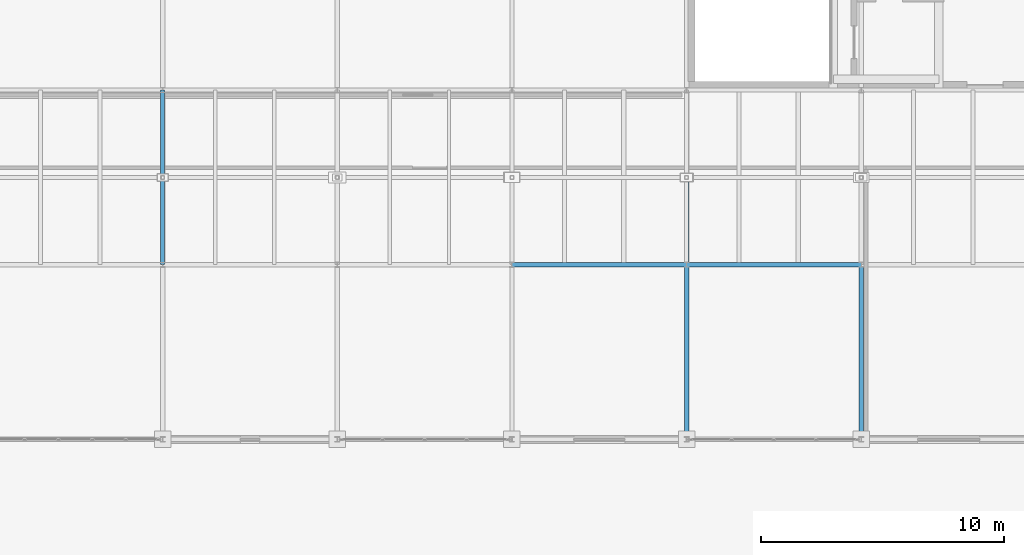
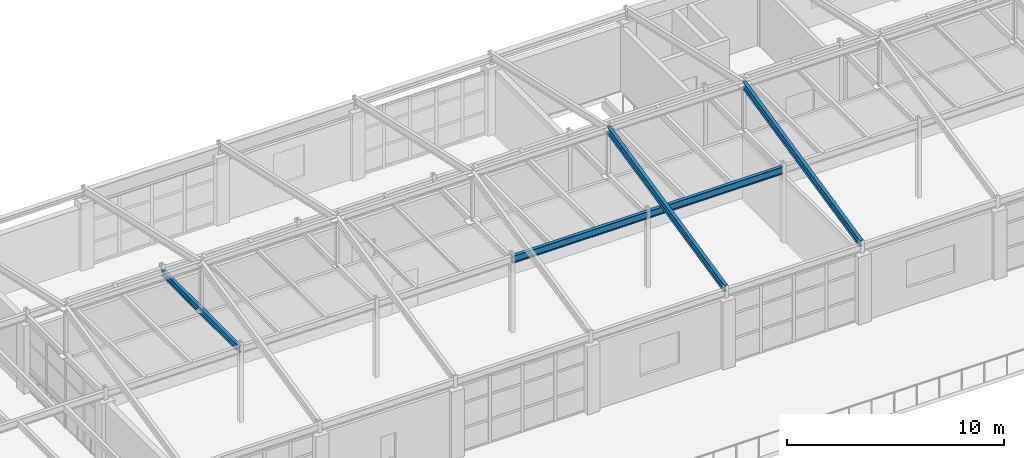
# One storey, part 53 of 101: 5 beams.
"""IFC4 building model written with IfcOpenShell, lengths in metres."""

from ifc_helpers import new_model, si_unit, direction, frame, origin, origin_2d, place, context, subcontext, project, spatial, i_section, extrude, material, material_profile, profile_set, type_object, element, save


model = new_model("IFC4")

# Units and contexts
model_context = context("Model", 3, precision=1e-05, world=origin(), true_north=direction((0.0, 1.0)))
body_context = subcontext(model_context, "Body", "Model", "MODEL_VIEW")
ifc_project = project(units=[si_unit("LENGTHUNIT", "METRE"), si_unit("AREAUNIT", "SQUARE_METRE"), si_unit("VOLUMEUNIT", "CUBIC_METRE"), si_unit("PLANEANGLEUNIT", "RADIAN"), si_unit("MASSUNIT", "GRAM", prefix="KILO")], contexts=[model_context])

# Site, building, storey
site_placement = place(None, origin())
site = spatial("IfcSite", under=ifc_project, at=site_placement, CompositionType="ELEMENT")
building_placement = place(site_placement, origin())
building = spatial("IfcBuilding", under=site, at=building_placement, Name="Kemerveld Promenade Tramway Depot", CompositionType="ELEMENT")
storey_placement = place(building_placement, frame((0.0, 0.0, 9.89990234375)))
storey = spatial("IfcBuildingStorey", under=building, at=storey_placement, Name="L02", CompositionType="ELEMENT", Elevation=9.89990234375)

# Beams
ifc_material = material(Name="Steel S355", Category="steel")
ifc_material_profile_1 = material_profile(ifc_material, i_section(OverallWidth=0.1787109375, OverallDepth=0.409423828125, WebThickness=0.0087890625, FlangeThickness=0.014404296875, FilletRadius=0.01025390625, at=origin_2d()), Name="406x178x67 UB")
ifc_profile_set_1 = profile_set([ifc_material_profile_1], Name="Steel S355")
beam_type_1 = type_object("IfcBeamType", Name="BM-G07", PredefinedType="BEAM", material=ifc_profile_set_1)
beam_1_placement = place(storey_placement, frame((79.199951171875, 14.39990234375, 4.0703125), z_axis=(1.0, 0.0, 0.0), x_axis=(0.0, 1.0, 0.0)))
element("IfcBeam", 1, at=beam_1_placement, inside=storey, type_object=beam_type_1, Name="BMX-L02-12-13-C", PredefinedType="BEAM", context=body_context, shape_type="SweptSolid", body=[
    extrude(i_section(OverallWidth=0.1787109375, OverallDepth=0.409423828125, WebThickness=0.0087890625, FlangeThickness=0.014404296875, FilletRadius=0.01025390625, at=origin_2d()), origin(), (0.0, 0.0, 1.0), 7.199951171875),
])
beam_2_placement = place(storey_placement, frame((86.39990234375, 14.39990234375, 4.0703125), z_axis=(1.0, 0.0, 0.0), x_axis=(0.0, 1.0, 0.0)))
element("IfcBeam", 2, at=beam_2_placement, inside=storey, type_object=beam_type_1, Name="BMX-L02-13-14-C", PredefinedType="BEAM", context=body_context, shape_type="SweptSolid", body=[
    extrude(i_section(OverallWidth=0.1787109375, OverallDepth=0.409423828125, WebThickness=0.0087890625, FlangeThickness=0.014404296875, FilletRadius=0.01025390625, at=origin_2d()), origin(), (0.0, 0.0, 1.0), 7.2001953125),
])
for number, where, z_axis, x_axis, name in (
    (3, (86.39990234375, 7.199951171875, 4.275390625), (0.0, 0.976189137057, 0.216921111677), (-1.0, 0.0, 0.0), "RAF-V4-13-S"),
    (4, (93.60009765625, 7.199951171875, 4.275390625), (0.0, 0.976189137057, 0.216921111677), (-1.0, 0.0, 0.0), "RAF-V4-14-S"),
):
    element("IfcBeam", number, at=place(storey_placement, frame(where, z_axis=z_axis, x_axis=x_axis)), inside=storey, type_object=beam_type_1, Name=name, PredefinedType="BEAM", context=body_context, shape_type="SweptSolid", body=[
        extrude(i_section(OverallWidth=0.1787109375, OverallDepth=0.409423828125, WebThickness=0.0087890625, FlangeThickness=0.014404296875, FilletRadius=0.01025390625, at=origin_2d()), origin(), (0.0, 0.0, 1.0), 11.0634765625),
    ])
ifc_material_profile_2 = material_profile(ifc_material, i_section(OverallWidth=0.172119140625, OverallDepth=0.35791015625, WebThickness=0.008056640625, FlangeThickness=0.012939453125, FilletRadius=0.01025390625, at=origin_2d()), Name="356x171x57 UB")
ifc_profile_set_2 = profile_set([ifc_material_profile_2], Name="Steel S355")
beam_type_2 = type_object("IfcBeamType", Name="BM-G08", PredefinedType="BEAM", material=ifc_profile_set_2)
beam_3_placement = place(storey_placement, frame((64.800048828125, 14.39990234375, 4.041015625), z_axis=(0.0, 1.0, 0.0), x_axis=(-1.0, 0.0, 0.0)))
element("IfcBeam", 5, at=beam_3_placement, inside=storey, type_object=beam_type_2, Name="BMY-L02-10-C-D", PredefinedType="BEAM", context=body_context, shape_type="SweptSolid", body=[
    extrude(i_section(OverallWidth=0.172119140625, OverallDepth=0.35791015625, WebThickness=0.008056640625, FlangeThickness=0.012939453125, FilletRadius=0.01025390625, at=origin_2d()), origin(), (0.0, 0.0, 1.0), 7.2001953125),
])

save(model, "model.ifc")
